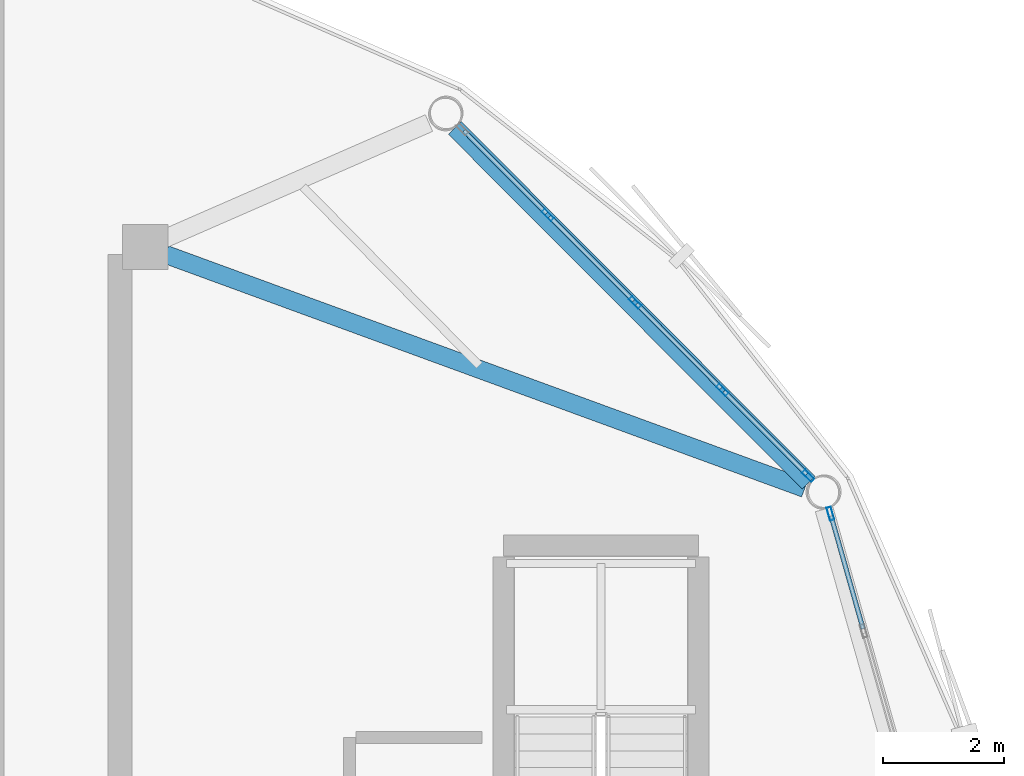
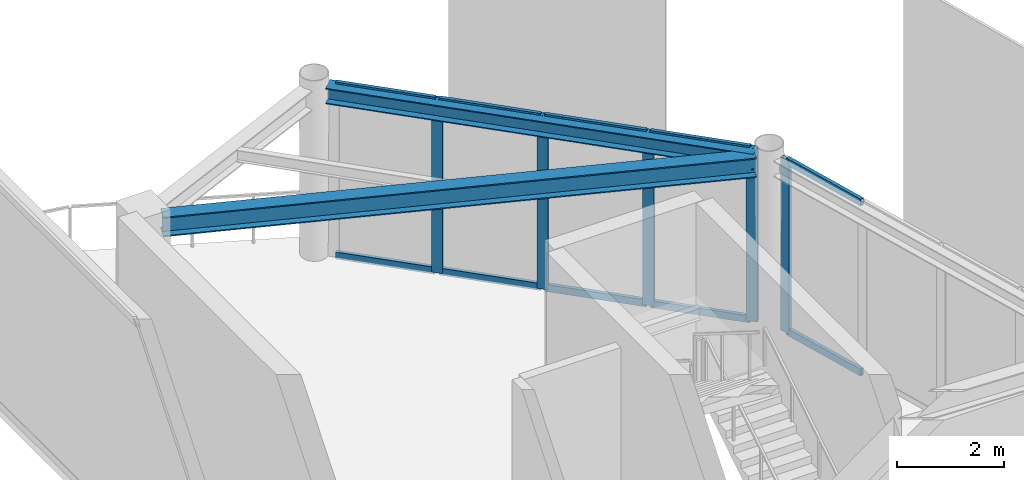
# One storey, part 8 of 13: 15 members, 2 beams, 2 elements without a shape of their own.
"""IFC4 building model written with IfcOpenShell, lengths in metres."""

from ifc_helpers import new_model, si_unit, direction, frame, origin, origin_2d, place, context, subcontext, project, spatial, hollow_rectangle, i_section, extrude, material, layer, layer_set, material_profile, profile_set, type_object, element, aggregate, save


model = new_model("IFC4")

# Units and contexts
model_context = context("Model", 3, precision=1e-05, world=origin(), true_north=direction((0.0, 1.0)))
body_context = subcontext(model_context, "Body", "Model", "MODEL_VIEW")
ifc_project = project(units=[si_unit("LENGTHUNIT", "METRE"), si_unit("AREAUNIT", "SQUARE_METRE"), si_unit("VOLUMEUNIT", "CUBIC_METRE"), si_unit("PLANEANGLEUNIT", "RADIAN"), si_unit("MASSUNIT", "GRAM", prefix="KILO")], contexts=[model_context])

# Site, building, storey
site_placement = place(None, origin())
site = spatial("IfcSite", under=ifc_project, at=site_placement, CompositionType="ELEMENT")
building_placement = place(site_placement, origin())
building = spatial("IfcBuilding", under=site, at=building_placement, Name="Varnakorn Sky Granary", CompositionType="ELEMENT")
storey_placement = place(building_placement, frame((0.0, 0.0, 315.0)))
storey = spatial("IfcBuildingStorey", under=building, at=storey_placement, Name="L80", CompositionType="ELEMENT", Elevation=315.0)

# Beams
ifc_material_1 = material(Name="Steel S355JR", Category="steel")
ifc_material_profile_1 = material_profile(ifc_material_1, i_section(OverallWidth=0.300048828125, OverallDepth=0.449951171875, WebThickness=0.013916015625, FlangeThickness=0.02587890625, at=origin_2d()), Name="HE 450 B")
ifc_profile_set_1 = profile_set([ifc_material_profile_1], Name="Steel S355JR")
beam_type_1 = type_object("IfcBeamType", Name="BM-RAD-Z5", PredefinedType="BEAM", material=ifc_profile_set_1)
beam_1_placement = place(storey_placement, frame((8.75341796875, 12.498046875, 3.735107421875), z_axis=(0.939044237743, -0.343796334422, 0.0), x_axis=(0.343796334422, 0.939044237743, 0.0)))
element("IfcBeam", 1, at=beam_1_placement, inside=storey, type_object=beam_type_1, Name="Radial Floor Girder RG02 L80", PredefinedType="BEAM", context=body_context, shape_type="SweptSolid", body=[
    extrude(i_section(OverallWidth=0.300048828125, OverallDepth=0.449951171875, WebThickness=0.013916015625, FlangeThickness=0.02587890625, at=origin_2d()), origin(), (0.0, 0.0, 1.0), 11.2705078125),
])
ifc_material_profile_2 = material_profile(ifc_material_1, i_section(OverallWidth=0.300048828125, OverallDepth=0.360107421875, WebThickness=0.012451171875, FlangeThickness=0.0224609375, at=origin_2d()), Name="HE 360 B")
ifc_profile_set_2 = profile_set([ifc_material_profile_2], Name="Steel S355JR")
beam_type_2 = type_object("IfcBeamType", Name="BM-SPD-Z5", PredefinedType="SPANDREL", material=ifc_profile_set_2)
beam_2_placement = place(storey_placement, frame((19.398681640625, 8.7197265625, 3.780029296875), z_axis=(-0.706075478013, 0.708136582411, 0.0), x_axis=(-0.708136582411, -0.706075478013, 0.0)))
element("IfcBeam", 2, at=beam_2_placement, inside=storey, type_object=beam_type_2, Name="Perimeter Spandrel Ring Beam RB02 L80", PredefinedType="SPANDREL", context=body_context, shape_type="SweptSolid", body=[
    extrude(i_section(OverallWidth=0.300048828125, OverallDepth=0.360107421875, WebThickness=0.012451171875, FlangeThickness=0.0224609375, at=origin_2d()), origin(), (0.0, 0.0, 1.0), 8.29150390625),
])

# Curtain wall, member
ifc_material_2 = material(Name="Anodised Bronze Aluminium Alloy 6063-T6", Category="aluminium")
ifc_layer = layer(ifc_material_2, 0.22998046875, Name="Anodised Bronze Aluminium Alloy 6063-T6")
ifc_layer_set = layer_set([ifc_layer], Name="Anodised Bronze Aluminium Alloy 6063-T6")
curtain_wall_type = type_object("IfcCurtainWallType", Name="CW-LNT-1", PredefinedType="USERDEFINED", material=ifc_layer_set)
curtain_wall_1_placement = place(storey_placement, origin())
curtain_wall_1 = element("IfcCurtainWall", 3, at=curtain_wall_1_placement, inside=storey, type_object=curtain_wall_type, Name="Unitised Curtain Wall CW7 CW-L80-B01", ObjectType="CURTAIN WALL", PredefinedType="USERDEFINED")
ifc_material_profile_3 = material_profile(ifc_material_2, hollow_rectangle(XDim=0.074951171875, YDim=0.219970703125, WallThickness=0.00390625, at=origin_2d()), Name="ALU MULL 75x220")
ifc_profile_set_3 = profile_set([ifc_material_profile_3], Name="Anodised Bronze Aluminium Alloy 6063-T6")
member_type_1 = type_object("IfcMemberType", Name="CW-LNT-1-MULL", PredefinedType="MULLION", material=ifc_profile_set_3)
member_1_placement = place(storey_placement, frame((19.7626953125, 8.205322265625, 0.0), z_axis=(0.0, 0.0, 1.0), x_axis=(0.962170396293, 0.272448396027, 0.0)))
member_1 = element("IfcMember", 4, at=member_1_placement, type_object=member_type_1, Name="CW7 mullion 1", PredefinedType="MULLION", context=body_context, shape_type="SweptSolid", body=[
    extrude(hollow_rectangle(XDim=0.074951171875, YDim=0.219970703125, WallThickness=0.00390625, at=origin_2d()), origin(), (0.0, 0.0, 1.0), 3.9599609375),
])

# Curtain wall, members
curtain_wall_2_placement = place(storey_placement, origin())
curtain_wall_2 = element("IfcCurtainWall", 5, at=curtain_wall_2_placement, inside=storey, type_object=curtain_wall_type, Name="Unitised Curtain Wall CW7 CW-L80-B02", ObjectType="CURTAIN WALL", PredefinedType="USERDEFINED")
member_2_placement = place(storey_placement, frame((15.085205078125, 13.152099609375, 0.0), z_axis=(0.0, 0.0, 1.0), x_axis=(0.707827489254, 0.706385337798, 0.0)))
member_2 = element("IfcMember", 6, at=member_2_placement, type_object=member_type_1, Name="CW7 mullion 2", PredefinedType="MULLION", context=body_context, shape_type="SweptSolid", body=[
    extrude(hollow_rectangle(XDim=0.074951171875, YDim=0.219970703125, WallThickness=0.00390625, at=origin_2d()), origin(), (0.0, 0.0, 1.0), 3.9599609375),
])
member_3_placement = place(storey_placement, frame((16.5302734375, 11.7041015625, 0.0), z_axis=(0.0, 0.0, 1.0), x_axis=(0.707827489254, 0.706385337798, 0.0)))
member_3 = element("IfcMember", 7, at=member_3_placement, type_object=member_type_1, Name="CW7 mullion 3", PredefinedType="MULLION", context=body_context, shape_type="SweptSolid", body=[
    extrude(hollow_rectangle(XDim=0.074951171875, YDim=0.219970703125, WallThickness=0.00390625, at=origin_2d()), origin(), (0.0, 0.0, 1.0), 3.9599609375),
])
member_4_placement = place(storey_placement, frame((17.97509765625, 10.256103515625, 0.0), z_axis=(0.0, 0.0, 1.0), x_axis=(0.707827489254, 0.706385337798, 0.0)))
member_4 = element("IfcMember", 8, at=member_4_placement, type_object=member_type_1, Name="CW7 mullion 4", PredefinedType="MULLION", context=body_context, shape_type="SweptSolid", body=[
    extrude(hollow_rectangle(XDim=0.074951171875, YDim=0.219970703125, WallThickness=0.00390625, at=origin_2d()), origin(), (0.0, 0.0, 1.0), 3.9599609375),
])
member_5_placement = place(storey_placement, frame((19.3935546875, 8.8349609375, 0.0), z_axis=(0.0, 0.0, 1.0), x_axis=(0.707827489254, 0.706385337798, 0.0)))
member_5 = element("IfcMember", 9, at=member_5_placement, type_object=member_type_1, Name="CW7 mullion 5", PredefinedType="MULLION", context=body_context, shape_type="SweptSolid", body=[
    extrude(hollow_rectangle(XDim=0.074951171875, YDim=0.219970703125, WallThickness=0.00390625, at=origin_2d()), origin(), (0.0, 0.0, 1.0), 3.9599609375),
])

# Member
ifc_material_profile_4 = material_profile(ifc_material_2, hollow_rectangle(XDim=0.074951171875, YDim=0.159912109375, WallThickness=0.00390625, at=origin_2d()), Name="ALU TRAN 75x160")
ifc_profile_set_4 = profile_set([ifc_material_profile_4], Name="Anodised Bronze Aluminium Alloy 6063-T6")
member_type_2 = type_object("IfcMemberType", Name="CW-LNT-1-TRAN", PredefinedType="USERDEFINED", material=ifc_profile_set_4)
member_6_placement = place(storey_placement, frame((19.77294921875, 8.169189453125, 0.03759765625), z_axis=(0.272414611387, -0.962179962119, 0.0), x_axis=(0.962179962119, 0.272414611387, 0.0)))
member_6 = element("IfcMember", 10, at=member_6_placement, type_object=member_type_2, Name="CW7 transom 1.1", ObjectType="TRANSOM", PredefinedType="USERDEFINED", context=body_context, shape_type="SweptSolid", body=[
    extrude(hollow_rectangle(XDim=0.074951171875, YDim=0.159912109375, WallThickness=0.00390625, at=origin_2d()), origin(), (0.0, 0.0, 1.0), 1.94384765625),
])

member_7_placement = place(storey_placement, frame((19.77294921875, 8.169189453125, 3.922607421875), z_axis=(0.272414611387, -0.962179962119, 0.0), x_axis=(0.962179962119, 0.272414611387, 0.0)))
member_7 = element("IfcMember", 11, at=member_7_placement, type_object=member_type_2, Name="CW7 transom 1.2", ObjectType="TRANSOM", PredefinedType="USERDEFINED", context=body_context, shape_type="SweptSolid", body=[
    extrude(hollow_rectangle(XDim=0.074951171875, YDim=0.159912109375, WallThickness=0.00390625, at=origin_2d()), origin(), (0.0, 0.0, 1.0), 1.94384765625),
])

aggregate(curtain_wall_1, [member_1, member_6, member_7])

member_8_placement = place(storey_placement, frame((13.693359375, 14.546875, 0.03759765625), z_axis=(0.706348625891, -0.707864124463, 0.0), x_axis=(0.707864124463, 0.706348625891, 0.0)))
member_8 = element("IfcMember", 12, at=member_8_placement, type_object=member_type_2, Name="CW7 transom 1.1", ObjectType="TRANSOM", PredefinedType="USERDEFINED", context=body_context, shape_type="SweptSolid", body=[
    extrude(hollow_rectangle(XDim=0.074951171875, YDim=0.159912109375, WallThickness=0.00390625, at=origin_2d()), origin(), (0.0, 0.0, 1.0), 1.93310546875),
])

member_9_placement = place(storey_placement, frame((13.693359375, 14.546875, 3.922607421875), z_axis=(0.706348625891, -0.707864124463, 0.0), x_axis=(0.707864124463, 0.706348625891, 0.0)))
member_9 = element("IfcMember", 13, at=member_9_placement, type_object=member_type_2, Name="CW7 transom 1.2", ObjectType="TRANSOM", PredefinedType="USERDEFINED", context=body_context, shape_type="SweptSolid", body=[
    extrude(hollow_rectangle(XDim=0.074951171875, YDim=0.159912109375, WallThickness=0.00390625, at=origin_2d()), origin(), (0.0, 0.0, 1.0), 1.93310546875),
])

member_10_placement = place(storey_placement, frame((15.11181640625, 13.12548828125, 0.03759765625), z_axis=(0.706362980841, -0.707849799955, 0.0), x_axis=(0.707849799955, 0.706362980841, 0.0)))
member_10 = element("IfcMember", 14, at=member_10_placement, type_object=member_type_2, Name="CW7 transom 2.1", ObjectType="TRANSOM", PredefinedType="USERDEFINED", context=body_context, shape_type="SweptSolid", body=[
    extrude(hollow_rectangle(XDim=0.074951171875, YDim=0.159912109375, WallThickness=0.00390625, at=origin_2d()), origin(), (0.0, 0.0, 1.0), 1.970458984375),
])

member_11_placement = place(storey_placement, frame((15.11181640625, 13.12548828125, 3.922607421875), z_axis=(0.706362980841, -0.707849799955, 0.0), x_axis=(0.707849799955, 0.706362980841, 0.0)))
member_11 = element("IfcMember", 15, at=member_11_placement, type_object=member_type_2, Name="CW7 transom 2.2", ObjectType="TRANSOM", PredefinedType="USERDEFINED", context=body_context, shape_type="SweptSolid", body=[
    extrude(hollow_rectangle(XDim=0.074951171875, YDim=0.159912109375, WallThickness=0.00390625, at=origin_2d()), origin(), (0.0, 0.0, 1.0), 1.970458984375),
])

member_12_placement = place(storey_placement, frame((16.556640625, 11.677490234375, 0.03759765625), z_axis=(0.706425053751, -0.707787851996, 0.0), x_axis=(0.707787851996, 0.706425053751, 0.0)))
member_12 = element("IfcMember", 16, at=member_12_placement, type_object=member_type_2, Name="CW7 transom 3.1", ObjectType="TRANSOM", PredefinedType="USERDEFINED", context=body_context, shape_type="SweptSolid", body=[
    extrude(hollow_rectangle(XDim=0.074951171875, YDim=0.159912109375, WallThickness=0.00390625, at=origin_2d()), origin(), (0.0, 0.0, 1.0), 1.970703125),
])

member_13_placement = place(storey_placement, frame((16.556640625, 11.677490234375, 3.922607421875), z_axis=(0.706425053751, -0.707787851996, 0.0), x_axis=(0.707787851996, 0.706425053751, 0.0)))
member_13 = element("IfcMember", 17, at=member_13_placement, type_object=member_type_2, Name="CW7 transom 3.2", ObjectType="TRANSOM", PredefinedType="USERDEFINED", context=body_context, shape_type="SweptSolid", body=[
    extrude(hollow_rectangle(XDim=0.074951171875, YDim=0.159912109375, WallThickness=0.00390625, at=origin_2d()), origin(), (0.0, 0.0, 1.0), 1.970703125),
])

member_14_placement = place(storey_placement, frame((18.001708984375, 10.229736328125, 0.03759765625), z_axis=(0.706348625891, -0.707864124463, 0.0), x_axis=(0.707864124463, 0.706348625891, 0.0)))
member_14 = element("IfcMember", 18, at=member_14_placement, type_object=member_type_2, Name="CW7 transom 4.1", ObjectType="TRANSOM", PredefinedType="USERDEFINED", context=body_context, shape_type="SweptSolid", body=[
    extrude(hollow_rectangle(XDim=0.074951171875, YDim=0.159912109375, WallThickness=0.00390625, at=origin_2d()), origin(), (0.0, 0.0, 1.0), 1.93310546875),
])

member_15_placement = place(storey_placement, frame((18.001708984375, 10.229736328125, 3.922607421875), z_axis=(0.706348625891, -0.707864124463, 0.0), x_axis=(0.707864124463, 0.706348625891, 0.0)))
member_15 = element("IfcMember", 19, at=member_15_placement, type_object=member_type_2, Name="CW7 transom 4.2", ObjectType="TRANSOM", PredefinedType="USERDEFINED", context=body_context, shape_type="SweptSolid", body=[
    extrude(hollow_rectangle(XDim=0.074951171875, YDim=0.159912109375, WallThickness=0.00390625, at=origin_2d()), origin(), (0.0, 0.0, 1.0), 1.93310546875),
])

aggregate(curtain_wall_2, [member_2, member_3, member_4, member_5, member_8, member_9, member_10, member_11, member_12, member_13, member_14, member_15])

save(model, "model.ifc")
